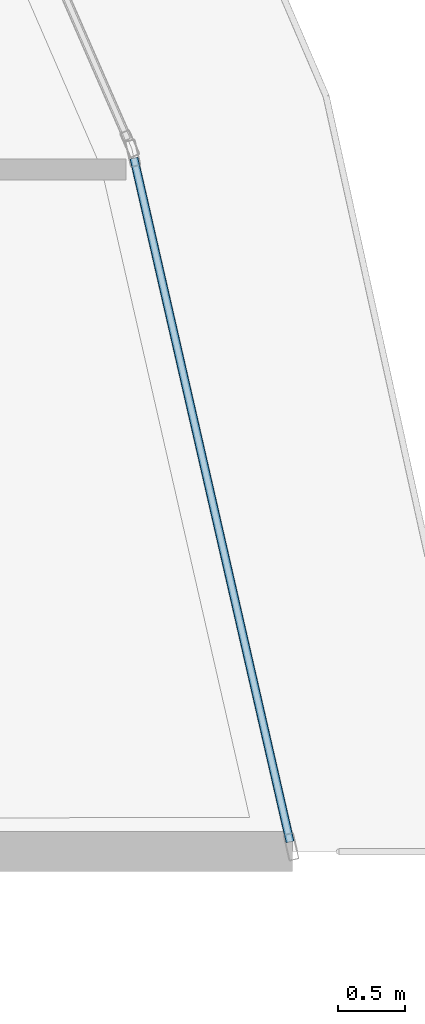
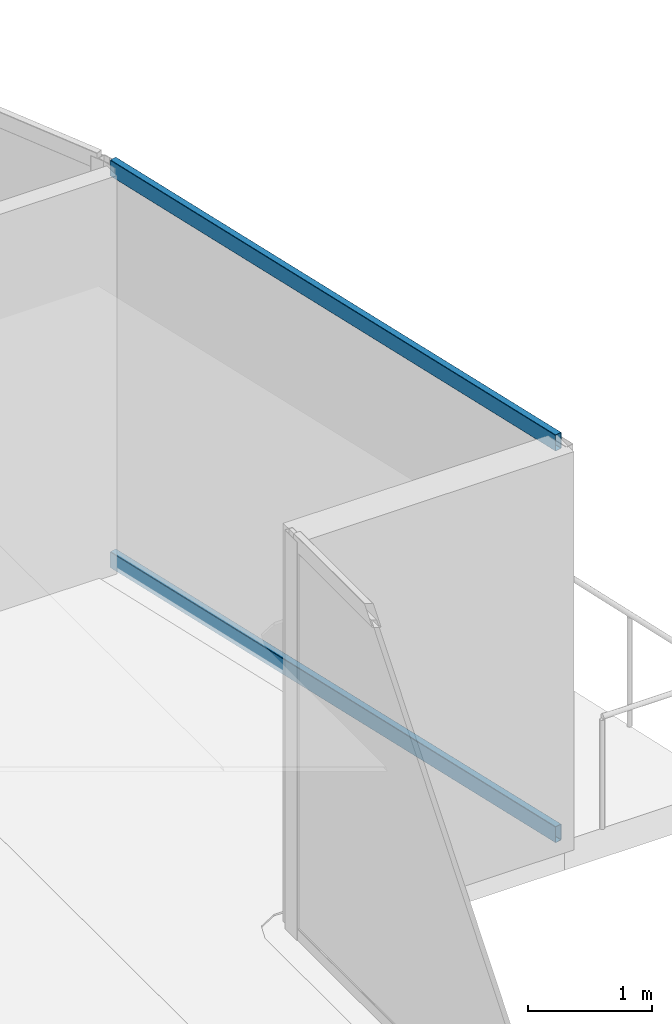
# One storey, part 14 of 36: 2 members, 1 element without a shape of its own.
"""IFC4 building model written with IfcOpenShell, lengths in metres."""

from ifc_helpers import new_model, si_unit, direction, frame, origin, origin_2d, place, context, subcontext, project, spatial, hollow_rectangle, extrude, material, layer, layer_set, material_profile, profile_set, type_object, element, aggregate, save


model = new_model("IFC4")

# Units and contexts
model_context = context("Model", 3, precision=1e-05, world=origin(), true_north=direction((0.0, 1.0)))
body_context = subcontext(model_context, "Body", "Model", "MODEL_VIEW")
ifc_project = project(units=[si_unit("LENGTHUNIT", "METRE"), si_unit("AREAUNIT", "SQUARE_METRE"), si_unit("VOLUMEUNIT", "CUBIC_METRE"), si_unit("PLANEANGLEUNIT", "RADIAN"), si_unit("MASSUNIT", "GRAM", prefix="KILO")], contexts=[model_context])

# Site, building, storey
site_placement = place(None, origin())
site = spatial("IfcSite", under=ifc_project, at=site_placement, CompositionType="ELEMENT")
building_placement = place(site_placement, origin())
building = spatial("IfcBuilding", under=site, at=building_placement, Name="Qorvath Tower", CompositionType="ELEMENT")
storey_placement = place(building_placement, frame((0.0, 0.0, 272.39990234375)))
storey = spatial("IfcBuildingStorey", under=building, at=storey_placement, Name="L63", CompositionType="ELEMENT", Elevation=272.39990234375)

# Curtain wall, members
ifc_material_1 = material(Name="Anodised aluminium and triple low-E glass", Category="aluminium")
ifc_layer = layer(ifc_material_1, 0.179931640625)
ifc_layer_set = layer_set([ifc_layer], Name="CW-SYS-4")
curtain_wall_type = type_object("IfcCurtainWallType", Name="CW-SYS-4", PredefinedType="NOTDEFINED", material=ifc_layer_set)
curtain_wall_placement = place(storey_placement, origin())
curtain_wall = element("IfcCurtainWall", 1, at=curtain_wall_placement, inside=storey, type_object=curtain_wall_type, Name="Curtain Wall CW-4 CW-T-L63-11.1", PredefinedType="NOTDEFINED")
ifc_material_2 = material(Name="Anodised aluminium 6063-T6", Category="aluminium")
ifc_material_profile = material_profile(ifc_material_2, hollow_rectangle(XDim=0.06494140625, YDim=0.159912109375, WallThickness=0.00341796875, InnerFilletRadius=0.00341796875, OuterFilletRadius=0.007080078125, at=origin_2d()), Name="CWT 160x65")
ifc_profile_set = profile_set([ifc_material_profile], Name="Anodised aluminium 6063-T6")
member_type = type_object("IfcMemberType", Name="CWT-160", PredefinedType="USERDEFINED", material=ifc_profile_set)
member_1_placement = place(storey_placement, frame((-2.028076171875, 3.864013671875, 0.032470703125), z_axis=(-0.222639621709, 0.974900814876, 0.0), x_axis=(-0.974900814876, -0.222639621709, 0.0)))
member_1 = element("IfcMember", 2, at=member_1_placement, type_object=member_type, Name="CW-4 transom 1.1", ObjectType="TRANSOM", PredefinedType="USERDEFINED", context=body_context, shape_type="SweptSolid", body=[
    extrude(hollow_rectangle(XDim=0.06494140625, YDim=0.159912109375, WallThickness=0.00341796875, InnerFilletRadius=0.00341796875, OuterFilletRadius=0.007080078125, at=origin_2d()), origin(), (0.0, 0.0, 1.0), 5.262451171875),
])
member_2_placement = place(storey_placement, frame((-2.028076171875, 3.864013671875, 3.877685546875), z_axis=(-0.222639621709, 0.974900814876, 0.0), x_axis=(-0.974900814876, -0.222639621709, 0.0)))
member_2 = element("IfcMember", 3, at=member_2_placement, type_object=member_type, Name="CW-4 transom 1.2", ObjectType="TRANSOM", PredefinedType="USERDEFINED", context=body_context, shape_type="SweptSolid", body=[
    extrude(hollow_rectangle(XDim=0.06494140625, YDim=0.159912109375, WallThickness=0.00341796875, InnerFilletRadius=0.00341796875, OuterFilletRadius=0.007080078125, at=origin_2d()), origin(), (0.0, 0.0, 1.0), 5.262451171875),
])
aggregate(curtain_wall, [member_1, member_2])

save(model, "model.ifc")
